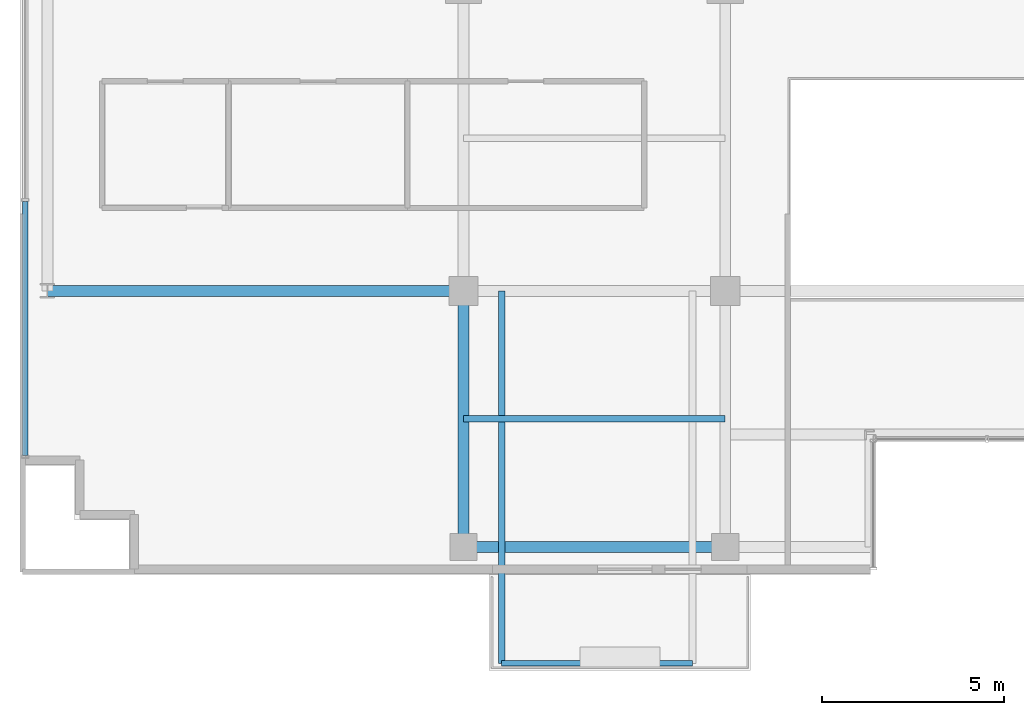
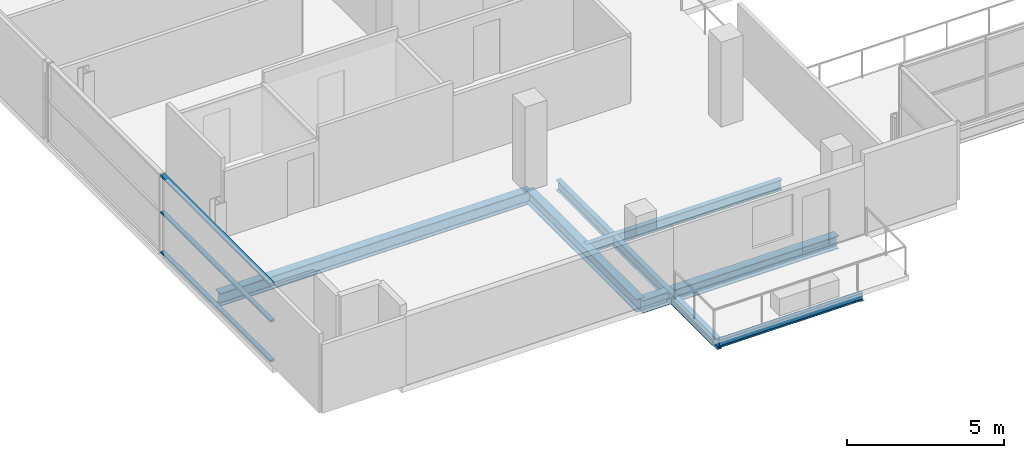
# One storey, part 3 of 25: 6 beams, 3 members, 1 element without a shape of its own.
"""IFC4 building model written with IfcOpenShell, lengths in metres."""

from ifc_helpers import new_model, si_unit, direction, frame, origin, origin_2d, place, context, subcontext, project, spatial, hollow_rectangle, i_section, extrude, source, transform, mapped, material, layer, layer_set, material_profile, profile_set, type_object, element, aggregate, save


model = new_model("IFC4")

# Units and contexts
model_context = context("Model", 3, precision=1e-05, world=origin(), true_north=direction((0.0, 1.0)))
body_context = subcontext(model_context, "Body", "Model", "MODEL_VIEW")
ifc_project = project(units=[si_unit("LENGTHUNIT", "METRE"), si_unit("AREAUNIT", "SQUARE_METRE"), si_unit("VOLUMEUNIT", "CUBIC_METRE"), si_unit("PLANEANGLEUNIT", "RADIAN"), si_unit("MASSUNIT", "GRAM", prefix="KILO")], contexts=[model_context])

# Site, building, storey
site_placement = place(None, origin())
site = spatial("IfcSite", under=ifc_project, at=site_placement, CompositionType="ELEMENT")
building_placement = place(site_placement, origin())
building = spatial("IfcBuilding", under=site, at=building_placement, Name="Zarnakvel Exchange Tower", CompositionType="ELEMENT")
storey_placement = place(building_placement, frame((0.0, 0.0, 169.300048828125)))
storey = spatial("IfcBuildingStorey", under=building, at=storey_placement, Name="L47", CompositionType="ELEMENT", Elevation=169.300048828125)

# Beams
ifc_material_1 = material(Name="Steel S355", Category="steel")
ifc_material_profile_1 = material_profile(ifc_material_1, i_section(OverallWidth=0.179931640625, OverallDepth=0.39990234375, WebThickness=0.008544921875, FlangeThickness=0.013427734375, FilletRadius=0.02099609375, at=origin_2d()))
ifc_profile_set_1 = profile_set([ifc_material_profile_1], Name="Steel S355")
beam_type_1 = type_object("IfcBeamType", Name="B-06", PredefinedType="JOIST", material=ifc_profile_set_1)
beam_1_placement = place(storey_placement, frame((-14.39990234375, -13.125, -0.425048828125), z_axis=(1.0, 0.0, 0.0), x_axis=(0.0, 1.0, 0.0)))
element("IfcBeam", 1, at=beam_1_placement, inside=storey, type_object=beam_type_1, Name="L47 Composite Floor Secondary Joist", PredefinedType="JOIST", context=body_context, shape_type="SweptSolid", body=[
    extrude(i_section(OverallWidth=0.179931640625, OverallDepth=0.39990234375, WebThickness=0.008544921875, FlangeThickness=0.013427734375, FilletRadius=0.02099609375, at=origin_2d()), origin(), (0.0, 0.0, 1.0), 7.199951171875),
])
beam_2_placement = place(storey_placement, frame((-13.35009765625, -9.60009765625, -0.425048828125), z_axis=(0.0, -1.0, 0.0), x_axis=(1.0, 0.0, 0.0)))
element("IfcBeam", 2, at=beam_2_placement, inside=storey, type_object=beam_type_1, Name="L47 Continuous Back-Spanned Balcony Beam W", PredefinedType="JOIST", context=body_context, shape_type="SweptSolid", body=[
    extrude(i_section(OverallWidth=0.179931640625, OverallDepth=0.39990234375, WebThickness=0.008544921875, FlangeThickness=0.013427734375, FilletRadius=0.02099609375, at=origin_2d()), origin(), (0.0, 0.0, 1.0), 10.25),
])
ifc_material_profile_2 = material_profile(ifc_material_1, i_section(OverallWidth=0.14990234375, OverallDepth=0.300048828125, WebThickness=0.007080078125, FlangeThickness=0.0107421875, FilletRadius=0.014892578125, at=origin_2d()))
ifc_profile_set_2 = profile_set([ifc_material_profile_2], Name="Steel S355")
beam_type_2 = type_object("IfcBeamType", Name="B-08", PredefinedType="JOIST", material=ifc_profile_set_2)
beam_3_placement = place(storey_placement, frame((-13.35009765625, -19.85009765625, -0.375), z_axis=(1.0, 0.0, 0.0), x_axis=(0.0, 1.0, 0.0)))
element("IfcBeam", 3, at=beam_3_placement, inside=storey, type_object=beam_type_2, Name="L47 Balcony Edge Beam", PredefinedType="JOIST", context=body_context, shape_type="SweptSolid", body=[
    extrude(i_section(OverallWidth=0.14990234375, OverallDepth=0.300048828125, WebThickness=0.007080078125, FlangeThickness=0.0107421875, FilletRadius=0.014892578125, at=origin_2d()), origin(), (0.0, 0.0, 1.0), 5.25),
])
ifc_material_profile_3 = material_profile(ifc_material_1, i_section(OverallWidth=0.300048828125, OverallDepth=0.5, WebThickness=0.014404296875, FlangeThickness=0.028076171875, FilletRadius=0.027099609375, at=origin_2d()))
ifc_profile_set_3 = profile_set([ifc_material_profile_3], Name="Steel S355")
beam_type_3 = type_object("IfcBeamType", Name="G-06", PredefinedType="BEAM", material=ifc_profile_set_3)
beam_4_placement = place(storey_placement, frame((-25.85009765625, -9.60009765625, -0.47509765625), z_axis=(1.0, 0.0, 0.0), x_axis=(0.0, 1.0, 0.0)))
element("IfcBeam", 4, at=beam_4_placement, inside=storey, type_object=beam_type_3, Name="L47 Tower E-W Frame Beam", PredefinedType="BEAM", context=body_context, shape_type="SweptSolid", body=[
    extrude(i_section(OverallWidth=0.300048828125, OverallDepth=0.5, WebThickness=0.014404296875, FlangeThickness=0.028076171875, FilletRadius=0.027099609375, at=origin_2d()), origin(), (0.0, 0.0, 1.0), 11.4501953125),
])
beam_5_placement = place(storey_placement, frame((-14.39990234375, -16.64990234375, -0.47509765625), z_axis=(0.0, 1.0, 0.0), x_axis=(-1.0, 0.0, 0.0)))
element("IfcBeam", 5, at=beam_5_placement, inside=storey, type_object=beam_type_3, Name="L47 Tower N-S Frame Beam", PredefinedType="BEAM", context=body_context, shape_type="SweptSolid", body=[
    extrude(i_section(OverallWidth=0.300048828125, OverallDepth=0.5, WebThickness=0.014404296875, FlangeThickness=0.028076171875, FilletRadius=0.027099609375, at=origin_2d()), origin(), (0.0, 0.0, 1.0), 7.0498046875),
])
ifc_material_profile_4 = material_profile(ifc_material_1, i_section(OverallWidth=0.300048828125, OverallDepth=0.5, WebThickness=0.014404296875, FlangeThickness=0.028076171875, FilletRadius=0.027099609375, at=origin_2d()))
ifc_profile_set_4 = profile_set([ifc_material_profile_4], Name="Steel S355")
beam_type_4 = type_object("IfcBeamType", Name="SP-02", PredefinedType="SPANDREL", material=ifc_profile_set_4)
beam_6_placement = place(storey_placement, frame((-14.39990234375, -16.64990234375, -0.47509765625), z_axis=(1.0, 0.0, 0.0), x_axis=(0.0, 1.0, 0.0)))
element("IfcBeam", 6, at=beam_6_placement, inside=storey, type_object=beam_type_4, Name="L47 Tower E-W Frame Beam", PredefinedType="SPANDREL", context=body_context, shape_type="SweptSolid", body=[
    extrude(i_section(OverallWidth=0.300048828125, OverallDepth=0.5, WebThickness=0.014404296875, FlangeThickness=0.028076171875, FilletRadius=0.027099609375, at=origin_2d()), origin(), (0.0, 0.0, 1.0), 7.199951171875),
])

# Curtain wall, members
ifc_material_2 = material(Name="Architectural Bronze Anodised Aluminium", Category="aluminium")
ifc_layer = layer(ifc_material_2, 0.199951171875)
ifc_layer_set = layer_set([ifc_layer], Name="Architectural Bronze Anodised Aluminium")
curtain_wall_type = type_object("IfcCurtainWallType", Name="CW-04", PredefinedType="NOTDEFINED", material=ifc_layer_set)
curtain_wall_placement = place(storey_placement, origin())
curtain_wall = element("IfcCurtainWall", 7, at=curtain_wall_placement, inside=storey, type_object=curtain_wall_type, Name="L47 Curtain Wall CW-L47-W1 (CW-04)", PredefinedType="NOTDEFINED")
ifc_material_profile_5 = material_profile(ifc_material_2, hollow_rectangle(XDim=0.159912109375, YDim=0.074951171875, WallThickness=0.00390625, at=origin_2d()))
ifc_profile_set_5 = profile_set([ifc_material_profile_5], Name="Architectural Bronze Anodised Aluminium")
member_type = type_object("IfcMemberType", Name="CWT-04", PredefinedType="USERDEFINED", material=ifc_profile_set_5)
shared_shape = source(origin(), body_context, "Body", "SweptSolid", [
    extrude(hollow_rectangle(XDim=0.159912109375, YDim=0.074951171875, WallThickness=0.00390625, at=origin_2d()), origin(), (0.0, 0.0, 1.0), 6.987548828125),
])
member_1_placement = place(storey_placement, frame((-26.4599609375, -14.125, 0.037353515625), z_axis=(0.0, 1.0, 0.0), x_axis=(-1.0, 0.0, 0.0)))
member_1 = element("IfcMember", 8, at=member_1_placement, type_object=member_type, Name="CW-04 transom 1.1", ObjectType="TRANSOM", PredefinedType="USERDEFINED", context=body_context, shape_type="MappedRepresentation", body=[
    mapped(shared_shape, transform((0.0, 0.0, 0.0), x_axis=(1.0, 0.0, 0.0), y_axis=(0.0, 1.0, 0.0), z_axis=(0.0, 0.0, 1.0), scale=1.0)),
])
member_2_placement = place(storey_placement, frame((-26.4599609375, -14.125, 1.588623046875), z_axis=(0.0, 1.0, 0.0), x_axis=(-1.0, 0.0, 0.0)))
member_2 = element("IfcMember", 9, at=member_2_placement, type_object=member_type, Name="CW-04 transom 1.2", ObjectType="TRANSOM", PredefinedType="USERDEFINED", context=body_context, shape_type="MappedRepresentation", body=[
    mapped(shared_shape, transform((0.0, 0.0, 0.0), x_axis=(1.0, 0.0, 0.0), y_axis=(0.0, 1.0, 0.0), z_axis=(0.0, 0.0, 1.0), scale=1.0)),
])
member_3_placement = place(storey_placement, frame((-26.4599609375, -14.125, 3.017333984375), z_axis=(0.0, 1.0, 0.0), x_axis=(-1.0, 0.0, 0.0)))
member_3 = element("IfcMember", 10, at=member_3_placement, type_object=member_type, Name="CW-04 transom 1.3", ObjectType="TRANSOM", PredefinedType="USERDEFINED", context=body_context, shape_type="MappedRepresentation", body=[
    mapped(shared_shape, transform((0.0, 0.0, 0.0), x_axis=(1.0, 0.0, 0.0), y_axis=(0.0, 1.0, 0.0), z_axis=(0.0, 0.0, 1.0), scale=1.0)),
])
aggregate(curtain_wall, [member_1, member_2, member_3])

save(model, "model.ifc")
